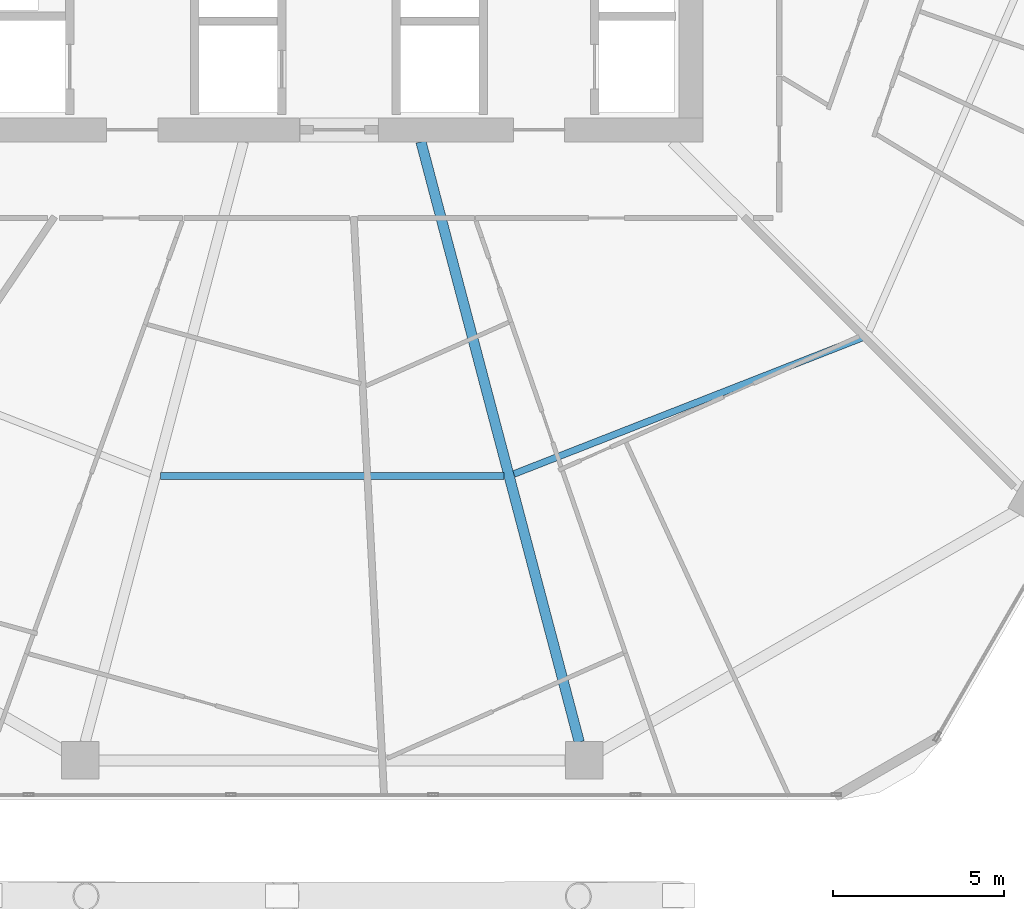
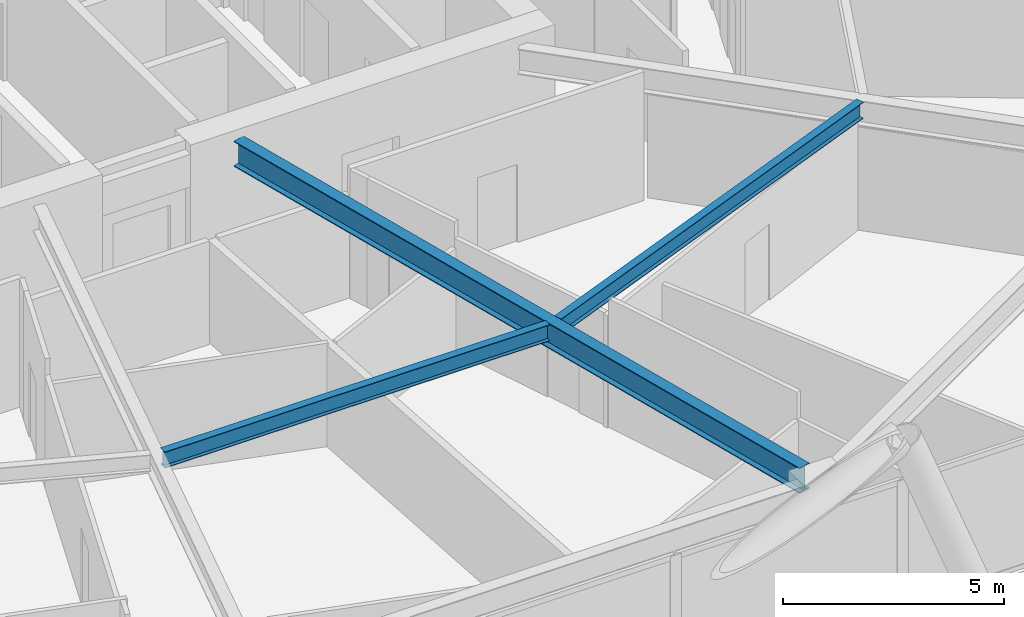
# One storey, part 8 of 35: 3 beams.
"""IFC4 building model written with IfcOpenShell, lengths in metres."""

import ifcopenshell
import ifcopenshell.guid

model = None  # the IFC model being written
_history = None  # IfcOwnerHistory: only IFC2X3 demands one
_inside = {}  # id of a spatial element -> (the spatial element, [elements in it])
_under = {}  # id of a project, library or spatial element -> (it, [spatial elements below it])
_declared = {}  # id of a project -> (the project, [libraries it declares])
_typed = {}  # id of a type object -> (the type object, [elements of that type])
_made_of = {}  # id of a material, layer set ... -> (it, [elements and type objects made of it])


def new_model(schema):
    """Start an empty IFC model of exactly this schema.

    Asked for "IFC4X3", IfcOpenShell would pick the latest addendum, in which some entities
    have other attributes; the version numbers below select the first issue.
    IFC2X3 requires an IfcOwnerHistory on every rooted entity: one is made here for all.
    """
    global model, _history
    if schema == "IFC4X3":
        model = ifcopenshell.file(schema_version=(4, 3, 0, 0))
    else:
        model = ifcopenshell.file(schema=schema)
    _inside.clear()
    _under.clear()
    _declared.clear()
    _typed.clear()
    _made_of.clear()
    _history = None
    if model.schema == "IFC2X3":
        org = make("IfcOrganization", Name="unknown")
        user = make(
            "IfcPersonAndOrganization",
            ThePerson=make("IfcPerson", FamilyName="unknown"),
            TheOrganization=org,
        )
        app = make(
            "IfcApplication",
            ApplicationDeveloper=org,
            Version="unknown",
            ApplicationFullName="unknown",
            ApplicationIdentifier="unknown",
        )
        _history = make(
            "IfcOwnerHistory",
            OwningUser=user,
            OwningApplication=app,
            ChangeAction="ADDED",
            CreationDate=0,
        )
    return model


def make(cls, **values):
    """One entity of the class cls with the attributes given. An attribute that is None is left unset."""
    return model.create_entity(
        cls, **{name: value for name, value in values.items() if value is not None}
    )


def rooted(cls, **values):
    """An entity with a GlobalId (a new one), such as an element, a storey or a relation."""
    return make(cls, GlobalId=ifcopenshell.guid.new(), OwnerHistory=_history, **values)


def si_unit(unit_type, name, prefix=None):
    """IfcSIUnit, for example si_unit("LENGTHUNIT", "METRE", prefix="MILLI")."""
    return make("IfcSIUnit", UnitType=unit_type, Prefix=prefix, Name=name)


def assignment(units):
    """IfcUnitAssignment: the units of a project."""
    return None if units is None else make("IfcUnitAssignment", Units=units)


def point(xyz):
    """IfcCartesianPoint."""
    return None if xyz is None else make("IfcCartesianPoint", Coordinates=xyz)


def direction(xyz):
    """IfcDirection."""
    return None if xyz is None else make("IfcDirection", DirectionRatios=xyz)


def frame(location, z_axis=None, x_axis=None):
    """IfcAxis2Placement3D, a coordinate frame: its origin and axes. An axis left out is left unset."""
    return make(
        "IfcAxis2Placement3D",
        Location=point(location),
        Axis=direction(z_axis),
        RefDirection=direction(x_axis),
    )


def frame_2d(location, x_axis=None):
    """IfcAxis2Placement2D, a coordinate frame in the plane: its origin and x axis."""
    return make(
        "IfcAxis2Placement2D", Location=point(location), RefDirection=direction(x_axis)
    )


def origin():
    """The frame at (0, 0, 0) with its axes left unset."""
    return frame((0.0, 0.0, 0.0))


def origin_2d():
    """The frame at (0, 0) in the plane with its x axis left unset."""
    return frame_2d((0.0, 0.0))


def place(relative_to, where):
    """IfcLocalPlacement: puts the frame where relative to a parent placement (None: the world)."""
    return make(
        "IfcLocalPlacement", PlacementRelTo=relative_to, RelativePlacement=where
    )


def context(
    kind, dimensions, precision=None, world=None, true_north=None, identifier=None
):
    """IfcGeometricRepresentationContext, for example the 3D "Model" context."""
    return make(
        "IfcGeometricRepresentationContext",
        ContextIdentifier=identifier,
        ContextType=kind,
        CoordinateSpaceDimension=dimensions,
        Precision=precision,
        WorldCoordinateSystem=world,
        TrueNorth=true_north,
    )


def subcontext(parent, identifier, kind, view, scale=None):
    """IfcGeometricRepresentationSubContext, for example "Body" below "Model"."""
    return make(
        "IfcGeometricRepresentationSubContext",
        ContextIdentifier=identifier,
        ContextType=kind,
        ParentContext=parent,
        TargetScale=scale,
        TargetView=view,
    )


def project(units=None, contexts=None):
    """IfcProject with its units and contexts."""
    return rooted(
        "IfcProject",
        Name="project",
        RepresentationContexts=contexts,
        UnitsInContext=assignment(units),
    )


def spatial(cls, under=None, at=None, **own):
    """A site, building, storey or space (cls), placed at a placement, below another one or the project."""
    s = rooted(cls, ObjectPlacement=at, **own)
    if under is not None:
        _under.setdefault(under.id(), (under, []))[1].append(s)
    return s


def profile(cls, at=None, kind="AREA", **sizes):
    """A parametric profile (cls). Its sizes go by their IFC names, for example OverallWidth=200.0."""
    return make(cls, ProfileType=kind, Position=at, **sizes)


def i_section(**sizes):
    """IfcIShapeProfileDef."""
    return profile("IfcIShapeProfileDef", **sizes)


def extrude(swept, where, along, depth):
    """IfcExtrudedAreaSolid: the profile swept, set in the frame where, extruded along a direction by depth."""
    return make(
        "IfcExtrudedAreaSolid",
        SweptArea=swept,
        Position=where,
        ExtrudedDirection=direction(along),
        Depth=depth,
    )


def shape(context_of_items, identifier, shape_type, items):
    """IfcShapeRepresentation: the items that make up one representation, for example the "Body"."""
    return make(
        "IfcShapeRepresentation",
        ContextOfItems=context_of_items,
        RepresentationIdentifier=identifier,
        RepresentationType=shape_type,
        Items=items,
    )


def material(Name=None, Category=None):
    """IfcMaterial."""
    return make("IfcMaterial", Name=Name, Category=Category)


def material_profile(
    of_material, cross_section, Name=None, Category=None, Priority=None
):
    """IfcMaterialProfile: a cross section and its material."""
    return make(
        "IfcMaterialProfile",
        Name=Name,
        Material=of_material,
        Profile=cross_section,
        Priority=Priority,
        Category=Category,
    )


def profile_set(profiles, Name=None, composite=None):
    """IfcMaterialProfileSet."""
    return make(
        "IfcMaterialProfileSet",
        Name=Name,
        MaterialProfiles=profiles,
        CompositeProfile=composite,
    )


def made_of(thing, what):
    """Note that an element or type object is made of a material, layer set ...; save() writes the relation."""
    if what is not None:
        _made_of.setdefault(what.id(), (what, []))[1].append(thing)
    return thing


def type_object(cls, material=None, **own):
    """A type object (cls), such as IfcWallType, which elements share."""
    return made_of(rooted(cls, **own), material)


def element(
    cls,
    number,
    at=None,
    inside=None,
    cuts=None,
    type_object=None,
    material=None,
    context=None,
    identifier="Body",
    shape_type=None,
    held_by="IfcProductDefinitionShape",
    body=None,
    shapes=None,
    **own,
):
    """One element of the class cls, such as IfcWall. Its Tag is "e" and its number.

    at: its placement. inside: the storey or other place that contains it. cuts: it is an
    opening in that element (IfcRelVoidsElement). A single representation is given by context,
    identifier, shape_type and body (its items); several are given by shapes. held_by: the class
    of the entity that holds the representations. save() writes the other relations.
    """
    e = rooted(cls, Tag="e%d" % number, ObjectPlacement=at, **own)
    if body is not None:
        shapes = [shape(context, identifier, shape_type, body)]
    if shapes is not None:
        e.Representation = make(held_by, Representations=shapes)
    if inside is not None:
        _inside.setdefault(inside.id(), (inside, []))[1].append(e)
    if cuts is not None:
        rooted(
            "IfcRelVoidsElement", RelatingBuildingElement=cuts, RelatedOpeningElement=e
        )
    if type_object is not None:
        _typed.setdefault(type_object.id(), (type_object, []))[1].append(e)
    return made_of(e, material)


def aggregate(whole, parts):
    """IfcRelAggregates: a whole, such as a stair, and the parts it consists of."""
    return rooted("IfcRelAggregates", RelatingObject=whole, RelatedObjects=parts)


def save(model, path):
    """Write the relations noted so far, then the file.

    IfcRelAggregates (storeys below a building ...), IfcRelContainedInSpatialStructure (elements
    in a storey), IfcRelDefinesByType, IfcRelAssociatesMaterial and IfcRelDeclares: one each for
    every whole, place, type object, material and project.
    """
    for whole, parts in _under.values():
        aggregate(whole, parts)
    for where, things in _inside.values():
        rooted(
            "IfcRelContainedInSpatialStructure",
            RelatedElements=things,
            RelatingStructure=where,
        )
    for kind, things in _typed.values():
        rooted("IfcRelDefinesByType", RelatedObjects=things, RelatingType=kind)
    for what, things in _made_of.values():
        rooted("IfcRelAssociatesMaterial", RelatedObjects=things, RelatingMaterial=what)
    for by, libraries in _declared.values():
        rooted("IfcRelDeclares", RelatingContext=by, RelatedDefinitions=libraries)
    model.write(path)


model = new_model("IFC4")

# Units and contexts
model_context = context("Model", 3, precision=1e-05, world=origin(), true_north=direction((0.0, 1.0)))
body_context = subcontext(model_context, "Body", "Model", "MODEL_VIEW")
ifc_project = project(units=[si_unit("LENGTHUNIT", "METRE"), si_unit("AREAUNIT", "SQUARE_METRE"), si_unit("VOLUMEUNIT", "CUBIC_METRE"), si_unit("PLANEANGLEUNIT", "RADIAN"), si_unit("MASSUNIT", "GRAM", prefix="KILO")], contexts=[model_context])

# Site, building, storey
site_placement = place(None, origin())
site = spatial("IfcSite", under=ifc_project, at=site_placement, CompositionType="ELEMENT")
building_placement = place(site_placement, origin())
building = spatial("IfcBuilding", under=site, at=building_placement, Name="Zuhravey Tower", CompositionType="ELEMENT")
storey_placement = place(building_placement, frame((0.0, 0.0, 122.800048828125)))
storey = spatial("IfcBuildingStorey", under=building, at=storey_placement, Name="L30", CompositionType="ELEMENT", Elevation=122.800048828125)

# Beams
ifc_material = material(Name="Steel SM355", Category="steel")
ifc_material_profile_1 = material_profile(ifc_material, i_section(OverallWidth=0.300048828125, OverallDepth=0.699951171875, WebThickness=0.012939453125, FlangeThickness=0.02392578125, at=origin_2d()), Name="H-700x300x13x24")
ifc_profile_set_1 = profile_set([ifc_material_profile_1], Name="Steel SM355")
beam_type_1 = type_object("IfcBeamType", Name="Radial Primary Girder H700x300", PredefinedType="BEAM", material=ifc_profile_set_1)
beam_1_placement = place(storey_placement, frame((38.59814453125, 22.14697265625, 3.199951171875), z_axis=(0.25498755891, -0.966944333869, 0.0), x_axis=(0.966944333869, 0.25498755891, 0.0)))
element("IfcBeam", 1, at=beam_1_placement, inside=storey, type_object=beam_type_1, Name="L30 RG1 BM-L30-RAD-10", PredefinedType="BEAM", context=body_context, shape_type="SweptSolid", body=[
    extrude(i_section(OverallWidth=0.300048828125, OverallDepth=0.699951171875, WebThickness=0.012939453125, FlangeThickness=0.02392578125, at=origin_2d()), origin(), (0.0, 0.0, 1.0), 18.1611328125),
])
ifc_material_profile_2 = material_profile(ifc_material, i_section(OverallWidth=0.199951171875, OverallDepth=0.449951171875, WebThickness=0.009033203125, FlangeThickness=0.013916015625, at=origin_2d()), Name="H-450x200x9x14")
ifc_profile_set_2 = profile_set([ifc_material_profile_2], Name="Steel SM355")
beam_type_2 = type_object("IfcBeamType", Name="Secondary Floor Joist H450x200", PredefinedType="JOIST", material=ifc_profile_set_2)
beam_2_placement = place(storey_placement, frame((30.97900390625, 12.37548828125, 3.324951171875), z_axis=(1.0, 0.0, 0.0), x_axis=(0.0, 1.0, 0.0)))
element("IfcBeam", 2, at=beam_2_placement, inside=storey, type_object=beam_type_2, Name="L30 SJ1 BM-L30-SJ-09-1", PredefinedType="JOIST", context=body_context, shape_type="SweptSolid", body=[
    extrude(i_section(OverallWidth=0.199951171875, OverallDepth=0.449951171875, WebThickness=0.009033203125, FlangeThickness=0.013916015625, at=origin_2d()), origin(), (0.0, 0.0, 1.0), 10.0419921875),
])
beam_3_placement = place(storey_placement, frame((41.318359375, 12.431640625, 3.324951171875), z_axis=(0.931216764731, 0.364465824302, 0.0), x_axis=(-0.364465824302, 0.931216764731, 0.0)))
element("IfcBeam", 3, at=beam_3_placement, inside=storey, type_object=beam_type_2, Name="L30 SJ1 BM-L30-SJ-10-1", PredefinedType="JOIST", context=body_context, shape_type="SweptSolid", body=[
    extrude(i_section(OverallWidth=0.199951171875, OverallDepth=0.449951171875, WebThickness=0.009033203125, FlangeThickness=0.013916015625, at=origin_2d()), origin(), (0.0, 0.0, 1.0), 10.939453125),
])

save(model, "model.ifc")
